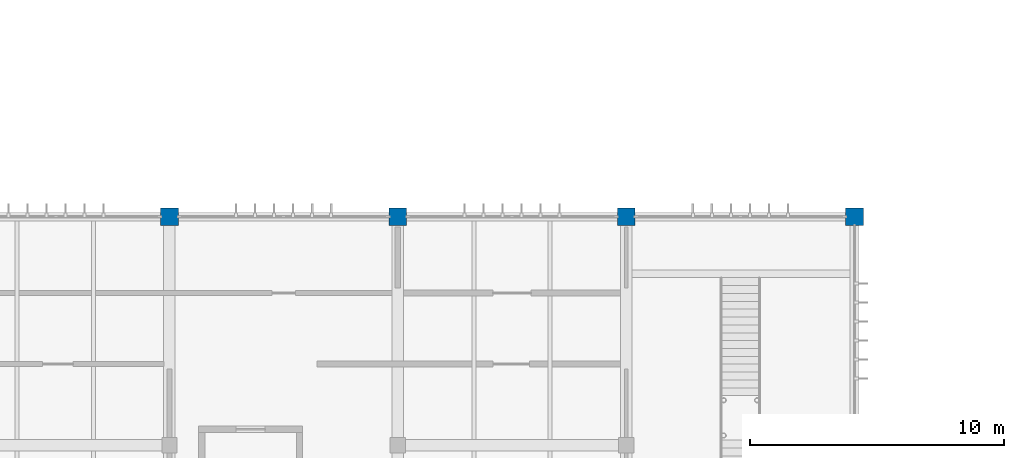
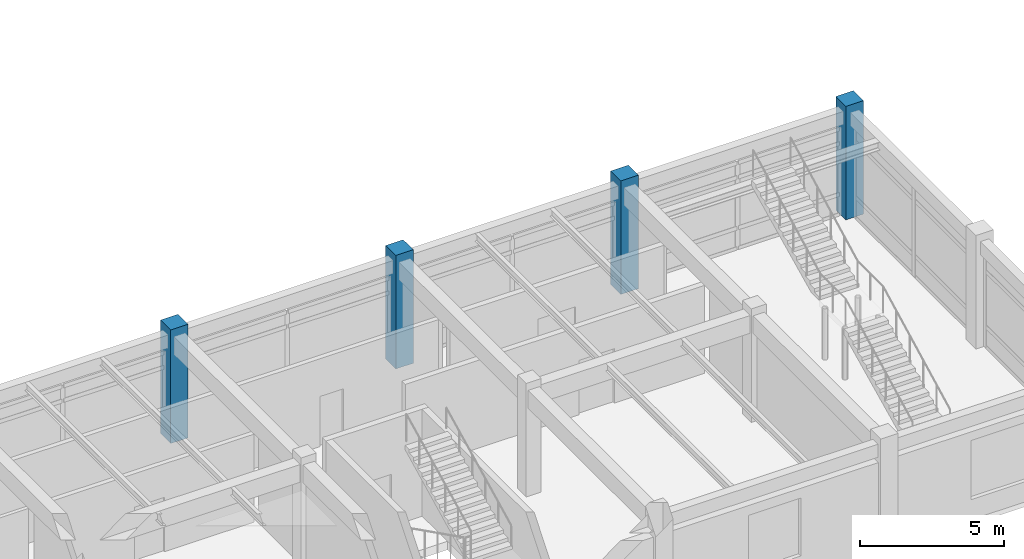
# One storey, part 3 of 61: 4 columns.
"""IFC4 building model written with IfcOpenShell, lengths in metres."""

from ifc_helpers import new_model, si_unit, direction, frame, origin, origin_2d, place, context, subcontext, project, spatial, rectangle, extrude, material, material_profile, profile_set, type_object, element, save


model = new_model("IFC4")

# Units and contexts
model_context = context("Model", 3, precision=1e-05, world=origin(), true_north=direction((0.0, 1.0)))
body_context = subcontext(model_context, "Body", "Model", "MODEL_VIEW")
ifc_project = project(units=[si_unit("LENGTHUNIT", "METRE"), si_unit("AREAUNIT", "SQUARE_METRE"), si_unit("VOLUMEUNIT", "CUBIC_METRE"), si_unit("PLANEANGLEUNIT", "RADIAN"), si_unit("MASSUNIT", "GRAM", prefix="KILO")], contexts=[model_context])

# Site, building, storey
site_placement = place(None, origin())
site = spatial("IfcSite", under=ifc_project, at=site_placement, CompositionType="ELEMENT")
building_placement = place(site_placement, origin())
building = spatial("IfcBuilding", under=site, at=building_placement, Name="Bozkorgan Art Gallery", CompositionType="ELEMENT")
storey_placement = place(building_placement, frame((0.0, 0.0, 10.199951171875)))
storey = spatial("IfcBuildingStorey", under=building, at=storey_placement, Name="L02", CompositionType="ELEMENT", Elevation=10.199951171875)

# Columns
ifc_material = material(Name="Concrete C40/50", Category="concrete")
ifc_material_profile = material_profile(ifc_material, rectangle(XDim=0.699951171875, YDim=0.699951171875, at=origin_2d()), Name="RC 700x700")
ifc_profile_set = profile_set([ifc_material_profile], Name="Concrete C40/50")
column_type = type_object("IfcColumnType", Name="COLUMN-C-73", PredefinedType="COLUMN", material=ifc_profile_set)
for number, where, z_axis, x_axis, name in (
    (1, (38.0, 20.0, 0.0), (0.0, 0.0, 1.0), (1.0, 0.0, 0.0), "V1 L02 column (38.0, 20.0)"),
    (2, (47.0, 20.0, 0.0), (0.0, 0.0, 1.0), (1.0, 0.0, 0.0), "V1 L02 column (47.0, 20.0)"),
    (3, (56.0, 20.0, 0.0), (0.0, 0.0, 1.0), (1.0, 0.0, 0.0), "V1 L02 column (56.0, 20.0)"),
    (4, (65.0, 20.0, 0.0), (0.0, 0.0, 1.0), (1.0, 0.0, 0.0), "V1 L02 column (65.0, 20.0)"),
):
    element("IfcColumn", number, at=place(storey_placement, frame(where, z_axis=z_axis, x_axis=x_axis)), inside=storey, type_object=column_type, Name=name, PredefinedType="COLUMN", context=body_context, shape_type="SweptSolid", body=[
        extrude(rectangle(XDim=0.699951171875, YDim=0.699951171875, at=origin_2d()), origin(), (0.0, 0.0, 1.0), 4.800048828125),
    ])

save(model, "model.ifc")
